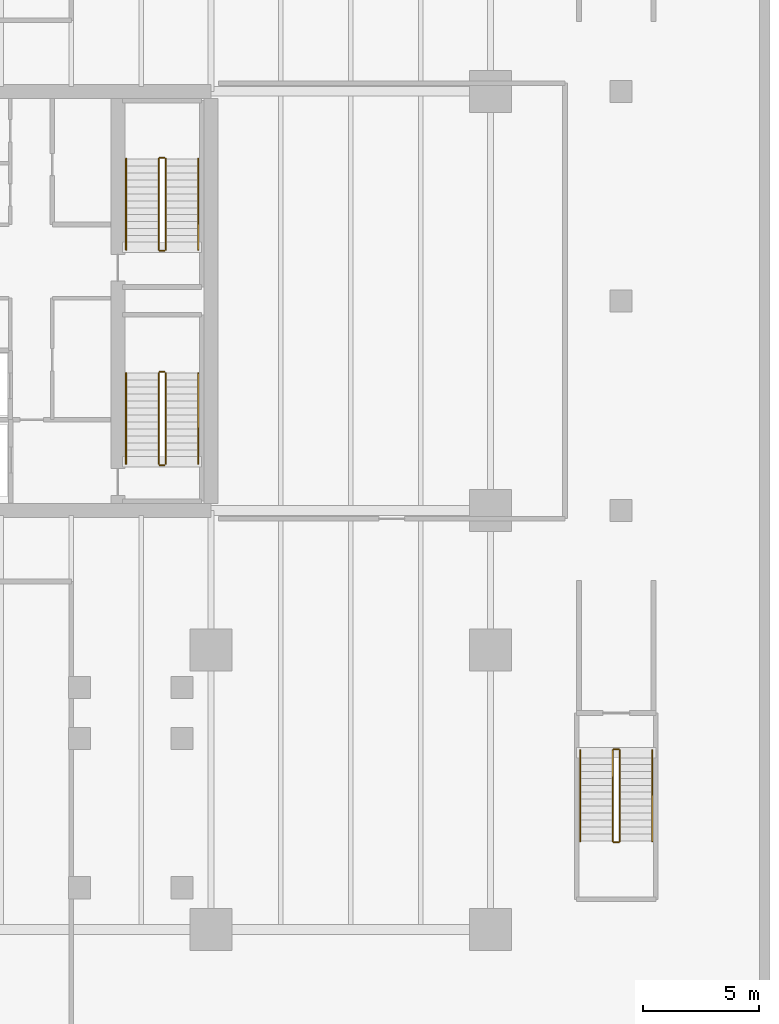
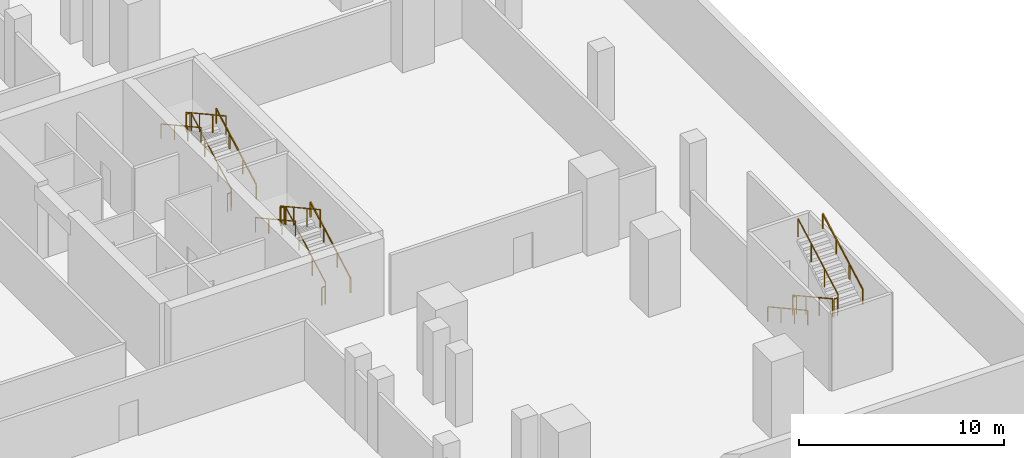
# One storey, part 12 of 13: 18 railings.
"""IFC4 building model written with IfcOpenShell, lengths in metres."""

import ifcopenshell
import ifcopenshell.guid

model = None  # the IFC model being written
_history = None  # IfcOwnerHistory: only IFC2X3 demands one
_inside = {}  # id of a spatial element -> (the spatial element, [elements in it])
_under = {}  # id of a project, library or spatial element -> (it, [spatial elements below it])
_declared = {}  # id of a project -> (the project, [libraries it declares])
_typed = {}  # id of a type object -> (the type object, [elements of that type])
_made_of = {}  # id of a material, layer set ... -> (it, [elements and type objects made of it])


def new_model(schema):
    """Start an empty IFC model of exactly this schema.

    Asked for "IFC4X3", IfcOpenShell would pick the latest addendum, in which some entities
    have other attributes; the version numbers below select the first issue.
    IFC2X3 requires an IfcOwnerHistory on every rooted entity: one is made here for all.
    """
    global model, _history
    if schema == "IFC4X3":
        model = ifcopenshell.file(schema_version=(4, 3, 0, 0))
    else:
        model = ifcopenshell.file(schema=schema)
    _inside.clear()
    _under.clear()
    _declared.clear()
    _typed.clear()
    _made_of.clear()
    _history = None
    if model.schema == "IFC2X3":
        org = make("IfcOrganization", Name="unknown")
        user = make(
            "IfcPersonAndOrganization",
            ThePerson=make("IfcPerson", FamilyName="unknown"),
            TheOrganization=org,
        )
        app = make(
            "IfcApplication",
            ApplicationDeveloper=org,
            Version="unknown",
            ApplicationFullName="unknown",
            ApplicationIdentifier="unknown",
        )
        _history = make(
            "IfcOwnerHistory",
            OwningUser=user,
            OwningApplication=app,
            ChangeAction="ADDED",
            CreationDate=0,
        )
    return model


def make(cls, **values):
    """One entity of the class cls with the attributes given. An attribute that is None is left unset."""
    return model.create_entity(
        cls, **{name: value for name, value in values.items() if value is not None}
    )


def rooted(cls, **values):
    """An entity with a GlobalId (a new one), such as an element, a storey or a relation."""
    return make(cls, GlobalId=ifcopenshell.guid.new(), OwnerHistory=_history, **values)


def si_unit(unit_type, name, prefix=None):
    """IfcSIUnit, for example si_unit("LENGTHUNIT", "METRE", prefix="MILLI")."""
    return make("IfcSIUnit", UnitType=unit_type, Prefix=prefix, Name=name)


def assignment(units):
    """IfcUnitAssignment: the units of a project."""
    return None if units is None else make("IfcUnitAssignment", Units=units)


def point(xyz):
    """IfcCartesianPoint."""
    return None if xyz is None else make("IfcCartesianPoint", Coordinates=xyz)


def direction(xyz):
    """IfcDirection."""
    return None if xyz is None else make("IfcDirection", DirectionRatios=xyz)


def frame(location, z_axis=None, x_axis=None):
    """IfcAxis2Placement3D, a coordinate frame: its origin and axes. An axis left out is left unset."""
    return make(
        "IfcAxis2Placement3D",
        Location=point(location),
        Axis=direction(z_axis),
        RefDirection=direction(x_axis),
    )


def origin():
    """The frame at (0, 0, 0) with its axes left unset."""
    return frame((0.0, 0.0, 0.0))


def place(relative_to, where):
    """IfcLocalPlacement: puts the frame where relative to a parent placement (None: the world)."""
    return make(
        "IfcLocalPlacement", PlacementRelTo=relative_to, RelativePlacement=where
    )


def context(
    kind, dimensions, precision=None, world=None, true_north=None, identifier=None
):
    """IfcGeometricRepresentationContext, for example the 3D "Model" context."""
    return make(
        "IfcGeometricRepresentationContext",
        ContextIdentifier=identifier,
        ContextType=kind,
        CoordinateSpaceDimension=dimensions,
        Precision=precision,
        WorldCoordinateSystem=world,
        TrueNorth=true_north,
    )


def subcontext(parent, identifier, kind, view, scale=None):
    """IfcGeometricRepresentationSubContext, for example "Body" below "Model"."""
    return make(
        "IfcGeometricRepresentationSubContext",
        ContextIdentifier=identifier,
        ContextType=kind,
        ParentContext=parent,
        TargetScale=scale,
        TargetView=view,
    )


def project(units=None, contexts=None):
    """IfcProject with its units and contexts."""
    return rooted(
        "IfcProject",
        Name="project",
        RepresentationContexts=contexts,
        UnitsInContext=assignment(units),
    )


def spatial(cls, under=None, at=None, **own):
    """A site, building, storey or space (cls), placed at a placement, below another one or the project."""
    s = rooted(cls, ObjectPlacement=at, **own)
    if under is not None:
        _under.setdefault(under.id(), (under, []))[1].append(s)
    return s


def profile(cls, at=None, kind="AREA", **sizes):
    """A parametric profile (cls). Its sizes go by their IFC names, for example OverallWidth=200.0."""
    return make(cls, ProfileType=kind, Position=at, **sizes)


def rectangle(**sizes):
    """IfcRectangleProfileDef."""
    return profile("IfcRectangleProfileDef", **sizes)


def extrude(swept, where, along, depth):
    """IfcExtrudedAreaSolid: the profile swept, set in the frame where, extruded along a direction by depth."""
    return make(
        "IfcExtrudedAreaSolid",
        SweptArea=swept,
        Position=where,
        ExtrudedDirection=direction(along),
        Depth=depth,
    )


def shape(context_of_items, identifier, shape_type, items):
    """IfcShapeRepresentation: the items that make up one representation, for example the "Body"."""
    return make(
        "IfcShapeRepresentation",
        ContextOfItems=context_of_items,
        RepresentationIdentifier=identifier,
        RepresentationType=shape_type,
        Items=items,
    )


def material(Name=None, Category=None):
    """IfcMaterial."""
    return make("IfcMaterial", Name=Name, Category=Category)


def made_of(thing, what):
    """Note that an element or type object is made of a material, layer set ...; save() writes the relation."""
    if what is not None:
        _made_of.setdefault(what.id(), (what, []))[1].append(thing)
    return thing


def type_object(cls, material=None, **own):
    """A type object (cls), such as IfcWallType, which elements share."""
    return made_of(rooted(cls, **own), material)


def element(
    cls,
    number,
    at=None,
    inside=None,
    cuts=None,
    type_object=None,
    material=None,
    context=None,
    identifier="Body",
    shape_type=None,
    held_by="IfcProductDefinitionShape",
    body=None,
    shapes=None,
    **own,
):
    """One element of the class cls, such as IfcWall. Its Tag is "e" and its number.

    at: its placement. inside: the storey or other place that contains it. cuts: it is an
    opening in that element (IfcRelVoidsElement). A single representation is given by context,
    identifier, shape_type and body (its items); several are given by shapes. held_by: the class
    of the entity that holds the representations. save() writes the other relations.
    """
    e = rooted(cls, Tag="e%d" % number, ObjectPlacement=at, **own)
    if body is not None:
        shapes = [shape(context, identifier, shape_type, body)]
    if shapes is not None:
        e.Representation = make(held_by, Representations=shapes)
    if inside is not None:
        _inside.setdefault(inside.id(), (inside, []))[1].append(e)
    if cuts is not None:
        rooted(
            "IfcRelVoidsElement", RelatingBuildingElement=cuts, RelatedOpeningElement=e
        )
    if type_object is not None:
        _typed.setdefault(type_object.id(), (type_object, []))[1].append(e)
    return made_of(e, material)


def aggregate(whole, parts):
    """IfcRelAggregates: a whole, such as a stair, and the parts it consists of."""
    return rooted("IfcRelAggregates", RelatingObject=whole, RelatedObjects=parts)


def save(model, path):
    """Write the relations noted so far, then the file.

    IfcRelAggregates (storeys below a building ...), IfcRelContainedInSpatialStructure (elements
    in a storey), IfcRelDefinesByType, IfcRelAssociatesMaterial and IfcRelDeclares: one each for
    every whole, place, type object, material and project.
    """
    for whole, parts in _under.values():
        aggregate(whole, parts)
    for where, things in _inside.values():
        rooted(
            "IfcRelContainedInSpatialStructure",
            RelatedElements=things,
            RelatingStructure=where,
        )
    for kind, things in _typed.values():
        rooted("IfcRelDefinesByType", RelatedObjects=things, RelatingType=kind)
    for what, things in _made_of.values():
        rooted("IfcRelAssociatesMaterial", RelatedObjects=things, RelatingMaterial=what)
    for by, libraries in _declared.values():
        rooted("IfcRelDeclares", RelatingContext=by, RelatedDefinitions=libraries)
    model.write(path)


model = new_model("IFC4")

# Units and contexts
model_context = context("Model", 3, precision=1e-05, world=origin(), true_north=direction((0.0, 1.0)))
body_context = subcontext(model_context, "Body", "Model", "MODEL_VIEW")
ifc_project = project(units=[si_unit("LENGTHUNIT", "METRE"), si_unit("AREAUNIT", "SQUARE_METRE"), si_unit("VOLUMEUNIT", "CUBIC_METRE"), si_unit("PLANEANGLEUNIT", "RADIAN"), si_unit("MASSUNIT", "GRAM", prefix="KILO")], contexts=[model_context])

# Site, building, storey
site_placement = place(None, origin())
site = spatial("IfcSite", under=ifc_project, at=site_placement, CompositionType="ELEMENT")
building_placement = place(site_placement, origin())
building = spatial("IfcBuilding", under=site, at=building_placement, Name="Tanjung Sevakor Pilgrim Tower", CompositionType="ELEMENT")
storey_placement = place(building_placement, frame((0.0, 0.0, -4.6201171875)))
storey = spatial("IfcBuildingStorey", under=building, at=storey_placement, Name="B01", CompositionType="ELEMENT", Elevation=-4.6201171875)

# Railings
ifc_material_1 = material(Name="Steel S355J2", Category="steel")
railing_type_1 = type_object("IfcRailingType", Name="RL-STAIR-GUARD", PredefinedType="GUARDRAIL", material=ifc_material_1)
railing_1_placement = place(storey_placement, frame((88.050048828125, 26.60009765625, 0.1650390625)))
element("IfcRailing", 1, at=railing_1_placement, inside=storey, type_object=railing_type_1, Name="B01 TS-E1 stair guard 1", PredefinedType="GUARDRAIL", context=body_context, shape_type="SweptSolid", body=[
    extrude(rectangle(XDim=0.0479, YDim=0.0479), frame((0.0, 0.0, 1.076171875), z_axis=(0.0, 0.876208959939, 0.481931383625), x_axis=(-1.0, 0.0, 0.0)), (0.0, 0.0, 1.0), 4.450927734375),
    extrude(rectangle(XDim=0.042, YDim=0.042), origin(), (0.0, 0.0, 1.0), 1.052001953125),
    extrude(rectangle(XDim=0.042, YDim=0.042), frame((0.0, 1.300048828125, 0.715087890625)), (0.0, 0.0, 1.0), 1.052001953125),
    extrude(rectangle(XDim=0.042, YDim=0.042), frame((0.0, 2.599853515625, 1.429931640625)), (0.0, 0.0, 1.0), 1.052001953125),
    extrude(rectangle(XDim=0.042, YDim=0.042), frame((0.0, 3.89990234375, 2.14501953125)), (0.0, 0.0, 1.0), 1.052001953125),
])
railing_2_placement = place(storey_placement, frame((88.0, 30.550048828125, 2.31005859375)))
element("IfcRailing", 2, at=railing_2_placement, inside=storey, type_object=railing_type_1, Name="B01 TS-E1 stair guard 2", PredefinedType="GUARDRAIL", context=body_context, shape_type="SweptSolid", body=[
    extrude(rectangle(XDim=0.0479, YDim=0.0479), frame((0.0, 0.0, 1.076171875), z_axis=(-1.0, 0.0, 0.0), x_axis=(0.0, -1.0, 0.0)), (0.0, 0.0, 1.0), 0.199951171875),
    extrude(rectangle(XDim=0.042, YDim=0.042), origin(), (0.0, 0.0, 1.0), 1.052001953125),
    extrude(rectangle(XDim=0.042, YDim=0.042), frame((-0.199951171875, 0.0, 0.0)), (0.0, 0.0, 1.0), 1.052001953125),
])
railing_3_placement = place(storey_placement, frame((87.75, 30.5, 2.47509765625)))
element("IfcRailing", 3, at=railing_3_placement, inside=storey, type_object=railing_type_1, Name="B01 TS-E1 stair guard 3", PredefinedType="GUARDRAIL", context=body_context, shape_type="SweptSolid", body=[
    extrude(rectangle(XDim=0.0479, YDim=0.0479), frame((0.0, 0.0, 1.076171875), z_axis=(0.0, -0.876208959939, 0.481931383625), x_axis=(1.0, 0.0, 0.0)), (0.0, 0.0, 1.0), 4.450927734375),
    extrude(rectangle(XDim=0.042, YDim=0.042), origin(), (0.0, 0.0, 1.0), 1.052001953125),
    extrude(rectangle(XDim=0.042, YDim=0.042), frame((0.0, -1.300048828125, 0.715087890625)), (0.0, 0.0, 1.0), 1.052001953125),
    extrude(rectangle(XDim=0.042, YDim=0.042), frame((0.0, -2.599853515625, 1.429931640625)), (0.0, 0.0, 1.0), 1.052001953125),
    extrude(rectangle(XDim=0.042, YDim=0.042), frame((0.0, -3.89990234375, 2.14501953125)), (0.0, 0.0, 1.0), 1.052001953125),
])
railing_4_placement = place(storey_placement, frame((88.0, 26.550048828125, 0.0)))
element("IfcRailing", 4, at=railing_4_placement, inside=storey, type_object=railing_type_1, Name="B01 TS-E1 stair guard 4", PredefinedType="GUARDRAIL", context=body_context, shape_type="SweptSolid", body=[
    extrude(rectangle(XDim=0.0479, YDim=0.0479), frame((0.0, 0.0, 1.076171875), z_axis=(-1.0, 0.0, 0.0), x_axis=(0.0, -1.0, 0.0)), (0.0, 0.0, 1.0), 0.199951171875),
    extrude(rectangle(XDim=0.042, YDim=0.042), origin(), (0.0, 0.0, 1.0), 1.052001953125),
    extrude(rectangle(XDim=0.042, YDim=0.042), frame((-0.199951171875, 0.0, 0.0)), (0.0, 0.0, 1.0), 1.052001953125),
])
railing_5_placement = place(storey_placement, frame((88.050048828125, 35.800048828125, 0.1650390625)))
element("IfcRailing", 5, at=railing_5_placement, inside=storey, type_object=railing_type_1, Name="B01 TS-E2 stair guard 1", PredefinedType="GUARDRAIL", context=body_context, shape_type="SweptSolid", body=[
    extrude(rectangle(XDim=0.0479, YDim=0.0479), frame((0.0, 0.0, 1.076171875), z_axis=(0.0, 0.876208959939, 0.481931383625), x_axis=(-1.0, 0.0, 0.0)), (0.0, 0.0, 1.0), 4.450927734375),
    extrude(rectangle(XDim=0.042, YDim=0.042), origin(), (0.0, 0.0, 1.0), 1.052001953125),
    extrude(rectangle(XDim=0.042, YDim=0.042), frame((0.0, 1.300048828125, 0.715087890625)), (0.0, 0.0, 1.0), 1.052001953125),
    extrude(rectangle(XDim=0.042, YDim=0.042), frame((0.0, 2.599853515625, 1.429931640625)), (0.0, 0.0, 1.0), 1.052001953125),
    extrude(rectangle(XDim=0.042, YDim=0.042), frame((0.0, 3.89990234375, 2.14501953125)), (0.0, 0.0, 1.0), 1.052001953125),
])
railing_6_placement = place(storey_placement, frame((88.0, 39.75, 2.31005859375)))
element("IfcRailing", 6, at=railing_6_placement, inside=storey, type_object=railing_type_1, Name="B01 TS-E2 stair guard 2", PredefinedType="GUARDRAIL", context=body_context, shape_type="SweptSolid", body=[
    extrude(rectangle(XDim=0.0479, YDim=0.0479), frame((0.0, 0.0, 1.076171875), z_axis=(-1.0, 0.0, 0.0), x_axis=(0.0, -1.0, 0.0)), (0.0, 0.0, 1.0), 0.199951171875),
    extrude(rectangle(XDim=0.042, YDim=0.042), origin(), (0.0, 0.0, 1.0), 1.052001953125),
    extrude(rectangle(XDim=0.042, YDim=0.042), frame((-0.199951171875, 0.0, 0.0)), (0.0, 0.0, 1.0), 1.052001953125),
])
railing_7_placement = place(storey_placement, frame((87.75, 39.699951171875, 2.47509765625)))
element("IfcRailing", 7, at=railing_7_placement, inside=storey, type_object=railing_type_1, Name="B01 TS-E2 stair guard 3", PredefinedType="GUARDRAIL", context=body_context, shape_type="SweptSolid", body=[
    extrude(rectangle(XDim=0.0479, YDim=0.0479), frame((0.0, 0.0, 1.076171875), z_axis=(0.0, -0.876208959939, 0.481931383625), x_axis=(1.0, 0.0, 0.0)), (0.0, 0.0, 1.0), 4.450927734375),
    extrude(rectangle(XDim=0.042, YDim=0.042), origin(), (0.0, 0.0, 1.0), 1.052001953125),
    extrude(rectangle(XDim=0.042, YDim=0.042), frame((0.0, -1.300048828125, 0.715087890625)), (0.0, 0.0, 1.0), 1.052001953125),
    extrude(rectangle(XDim=0.042, YDim=0.042), frame((0.0, -2.599853515625, 1.429931640625)), (0.0, 0.0, 1.0), 1.052001953125),
    extrude(rectangle(XDim=0.042, YDim=0.042), frame((0.0, -3.89990234375, 2.14501953125)), (0.0, 0.0, 1.0), 1.052001953125),
])
railing_8_placement = place(storey_placement, frame((88.0, 35.75, 0.0)))
element("IfcRailing", 8, at=railing_8_placement, inside=storey, type_object=railing_type_1, Name="B01 TS-E2 stair guard 4", PredefinedType="GUARDRAIL", context=body_context, shape_type="SweptSolid", body=[
    extrude(rectangle(XDim=0.0479, YDim=0.0479), frame((0.0, 0.0, 1.076171875), z_axis=(-1.0, 0.0, 0.0), x_axis=(0.0, -1.0, 0.0)), (0.0, 0.0, 1.0), 0.199951171875),
    extrude(rectangle(XDim=0.042, YDim=0.042), origin(), (0.0, 0.0, 1.0), 1.052001953125),
    extrude(rectangle(XDim=0.042, YDim=0.042), frame((-0.199951171875, 0.0, 0.0)), (0.0, 0.0, 1.0), 1.052001953125),
])
railing_9_placement = place(storey_placement, frame((107.25, 14.300048828125, 0.1650390625)))
element("IfcRailing", 9, at=railing_9_placement, inside=storey, type_object=railing_type_1, Name="B01 BS-3 stair guard 1", PredefinedType="GUARDRAIL", context=body_context, shape_type="SweptSolid", body=[
    extrude(rectangle(XDim=0.0479, YDim=0.0479), frame((0.0, 0.0, 1.076171875), z_axis=(0.0, -0.876221698874, 0.481908221991), x_axis=(1.0, 0.0, 0.0)), (0.0, 0.0, 1.0), 4.451171875),
    extrude(rectangle(XDim=0.042, YDim=0.042), origin(), (0.0, 0.0, 1.0), 1.052001953125),
    extrude(rectangle(XDim=0.042, YDim=0.042), frame((0.0, -1.300048828125, 0.715087890625)), (0.0, 0.0, 1.0), 1.052001953125),
    extrude(rectangle(XDim=0.042, YDim=0.042), frame((0.0, -2.60009765625, 1.429931640625)), (0.0, 0.0, 1.0), 1.052001953125),
    extrude(rectangle(XDim=0.042, YDim=0.042), frame((0.0, -3.900146484375, 2.14501953125)), (0.0, 0.0, 1.0), 1.052001953125),
])
railing_10_placement = place(storey_placement, frame((107.300048828125, 10.35009765625, 2.31005859375)))
element("IfcRailing", 10, at=railing_10_placement, inside=storey, type_object=railing_type_1, Name="B01 BS-3 stair guard 2", PredefinedType="GUARDRAIL", context=body_context, shape_type="SweptSolid", body=[
    extrude(rectangle(XDim=0.0479, YDim=0.0479), frame((0.0, 0.0, 1.076171875), z_axis=(1.0, 0.0, 0.0), x_axis=(0.0, 1.0, 0.0)), (0.0, 0.0, 1.0), 0.199951171875),
    extrude(rectangle(XDim=0.042, YDim=0.042), origin(), (0.0, 0.0, 1.0), 1.052001953125),
    extrude(rectangle(XDim=0.042, YDim=0.042), frame((0.199951171875, 0.0, 0.0)), (0.0, 0.0, 1.0), 1.052001953125),
])
railing_11_placement = place(storey_placement, frame((107.550048828125, 10.39990234375, 2.47509765625)))
element("IfcRailing", 11, at=railing_11_placement, inside=storey, type_object=railing_type_1, Name="B01 BS-3 stair guard 3", PredefinedType="GUARDRAIL", context=body_context, shape_type="SweptSolid", body=[
    extrude(rectangle(XDim=0.0479, YDim=0.0479), frame((0.0, 0.0, 1.076171875), z_axis=(0.0, 0.876221698874, 0.481908221991), x_axis=(-1.0, 0.0, 0.0)), (0.0, 0.0, 1.0), 4.451171875),
    extrude(rectangle(XDim=0.042, YDim=0.042), origin(), (0.0, 0.0, 1.0), 1.052001953125),
    extrude(rectangle(XDim=0.042, YDim=0.042), frame((0.0, 1.300048828125, 0.715087890625)), (0.0, 0.0, 1.0), 1.052001953125),
    extrude(rectangle(XDim=0.042, YDim=0.042), frame((0.0, 2.60009765625, 1.429931640625)), (0.0, 0.0, 1.0), 1.052001953125),
    extrude(rectangle(XDim=0.042, YDim=0.042), frame((0.0, 3.900146484375, 2.14501953125)), (0.0, 0.0, 1.0), 1.052001953125),
])
railing_12_placement = place(storey_placement, frame((107.300048828125, 14.35009765625, 0.0)))
element("IfcRailing", 12, at=railing_12_placement, inside=storey, type_object=railing_type_1, Name="B01 BS-3 stair guard 4", PredefinedType="GUARDRAIL", context=body_context, shape_type="SweptSolid", body=[
    extrude(rectangle(XDim=0.0479, YDim=0.0479), frame((0.0, 0.0, 1.076171875), z_axis=(1.0, 0.0, 0.0), x_axis=(0.0, 1.0, 0.0)), (0.0, 0.0, 1.0), 0.199951171875),
    extrude(rectangle(XDim=0.042, YDim=0.042), origin(), (0.0, 0.0, 1.0), 1.052001953125),
    extrude(rectangle(XDim=0.042, YDim=0.042), frame((0.199951171875, 0.0, 0.0)), (0.0, 0.0, 1.0), 1.052001953125),
])
ifc_material_2 = material(Name="Steel S355J2", Category="steel")
railing_type_2 = type_object("IfcRailingType", Name="RL-STAIR-HAND", PredefinedType="HANDRAIL", material=ifc_material_2)
railing_13_placement = place(storey_placement, frame((89.449951171875, 26.60009765625, 0.1650390625)))
element("IfcRailing", 13, at=railing_13_placement, inside=storey, type_object=railing_type_2, Name="B01 TS-E1 stair handrail 1", PredefinedType="HANDRAIL", context=body_context, shape_type="SweptSolid", body=[
    extrude(rectangle(XDim=0.0479, YDim=0.0479), frame((0.0, 0.0, 0.8759765625), z_axis=(0.0, 0.876208959939, 0.481931383625), x_axis=(-1.0, 0.0, 0.0)), (0.0, 0.0, 1.0), 4.450927734375),
    extrude(rectangle(XDim=0.042, YDim=0.042), origin(), (0.0, 0.0, 1.0), 0.851806640625),
    extrude(rectangle(XDim=0.042, YDim=0.042), frame((0.0, 1.300048828125, 0.715087890625)), (0.0, 0.0, 1.0), 0.851806640625),
    extrude(rectangle(XDim=0.042, YDim=0.042), frame((0.0, 2.599853515625, 1.429931640625)), (0.0, 0.0, 1.0), 0.851806640625),
    extrude(rectangle(XDim=0.042, YDim=0.042), frame((0.0, 3.89990234375, 2.14501953125)), (0.0, 0.0, 1.0), 0.851806640625),
])
railing_14_placement = place(storey_placement, frame((86.35009765625, 30.5, 2.47509765625)))
element("IfcRailing", 14, at=railing_14_placement, inside=storey, type_object=railing_type_2, Name="B01 TS-E1 stair handrail 2", PredefinedType="HANDRAIL", context=body_context, shape_type="SweptSolid", body=[
    extrude(rectangle(XDim=0.0479, YDim=0.0479), frame((0.0, 0.0, 0.8759765625), z_axis=(0.0, -0.876208959939, 0.481931383625), x_axis=(1.0, 0.0, 0.0)), (0.0, 0.0, 1.0), 4.450927734375),
    extrude(rectangle(XDim=0.042, YDim=0.042), origin(), (0.0, 0.0, 1.0), 0.851806640625),
    extrude(rectangle(XDim=0.042, YDim=0.042), frame((0.0, -1.300048828125, 0.715087890625)), (0.0, 0.0, 1.0), 0.851806640625),
    extrude(rectangle(XDim=0.042, YDim=0.042), frame((0.0, -2.599853515625, 1.429931640625)), (0.0, 0.0, 1.0), 0.851806640625),
    extrude(rectangle(XDim=0.042, YDim=0.042), frame((0.0, -3.89990234375, 2.14501953125)), (0.0, 0.0, 1.0), 0.851806640625),
])
railing_15_placement = place(storey_placement, frame((89.449951171875, 35.800048828125, 0.1650390625)))
element("IfcRailing", 15, at=railing_15_placement, inside=storey, type_object=railing_type_2, Name="B01 TS-E2 stair handrail 1", PredefinedType="HANDRAIL", context=body_context, shape_type="SweptSolid", body=[
    extrude(rectangle(XDim=0.0479, YDim=0.0479), frame((0.0, 0.0, 0.8759765625), z_axis=(0.0, 0.876208959939, 0.481931383625), x_axis=(-1.0, 0.0, 0.0)), (0.0, 0.0, 1.0), 4.450927734375),
    extrude(rectangle(XDim=0.042, YDim=0.042), origin(), (0.0, 0.0, 1.0), 0.851806640625),
    extrude(rectangle(XDim=0.042, YDim=0.042), frame((0.0, 1.300048828125, 0.715087890625)), (0.0, 0.0, 1.0), 0.851806640625),
    extrude(rectangle(XDim=0.042, YDim=0.042), frame((0.0, 2.599853515625, 1.429931640625)), (0.0, 0.0, 1.0), 0.851806640625),
    extrude(rectangle(XDim=0.042, YDim=0.042), frame((0.0, 3.89990234375, 2.14501953125)), (0.0, 0.0, 1.0), 0.851806640625),
])
railing_16_placement = place(storey_placement, frame((86.35009765625, 39.699951171875, 2.47509765625)))
element("IfcRailing", 16, at=railing_16_placement, inside=storey, type_object=railing_type_2, Name="B01 TS-E2 stair handrail 2", PredefinedType="HANDRAIL", context=body_context, shape_type="SweptSolid", body=[
    extrude(rectangle(XDim=0.0479, YDim=0.0479), frame((0.0, 0.0, 0.8759765625), z_axis=(0.0, -0.876208959939, 0.481931383625), x_axis=(1.0, 0.0, 0.0)), (0.0, 0.0, 1.0), 4.450927734375),
    extrude(rectangle(XDim=0.042, YDim=0.042), origin(), (0.0, 0.0, 1.0), 0.851806640625),
    extrude(rectangle(XDim=0.042, YDim=0.042), frame((0.0, -1.300048828125, 0.715087890625)), (0.0, 0.0, 1.0), 0.851806640625),
    extrude(rectangle(XDim=0.042, YDim=0.042), frame((0.0, -2.599853515625, 1.429931640625)), (0.0, 0.0, 1.0), 0.851806640625),
    extrude(rectangle(XDim=0.042, YDim=0.042), frame((0.0, -3.89990234375, 2.14501953125)), (0.0, 0.0, 1.0), 0.851806640625),
])
railing_17_placement = place(storey_placement, frame((105.85009765625, 14.300048828125, 0.1650390625)))
element("IfcRailing", 17, at=railing_17_placement, inside=storey, type_object=railing_type_2, Name="B01 BS-3 stair handrail 1", PredefinedType="HANDRAIL", context=body_context, shape_type="SweptSolid", body=[
    extrude(rectangle(XDim=0.0479, YDim=0.0479), frame((0.0, 0.0, 0.8759765625), z_axis=(0.0, -0.876221698874, 0.481908221991), x_axis=(1.0, 0.0, 0.0)), (0.0, 0.0, 1.0), 4.451171875),
    extrude(rectangle(XDim=0.042, YDim=0.042), origin(), (0.0, 0.0, 1.0), 0.851806640625),
    extrude(rectangle(XDim=0.042, YDim=0.042), frame((0.0, -1.300048828125, 0.715087890625)), (0.0, 0.0, 1.0), 0.851806640625),
    extrude(rectangle(XDim=0.042, YDim=0.042), frame((0.0, -2.60009765625, 1.429931640625)), (0.0, 0.0, 1.0), 0.851806640625),
    extrude(rectangle(XDim=0.042, YDim=0.042), frame((0.0, -3.900146484375, 2.14501953125)), (0.0, 0.0, 1.0), 0.851806640625),
])
railing_18_placement = place(storey_placement, frame((108.949951171875, 10.39990234375, 2.47509765625)))
element("IfcRailing", 18, at=railing_18_placement, inside=storey, type_object=railing_type_2, Name="B01 BS-3 stair handrail 2", PredefinedType="HANDRAIL", context=body_context, shape_type="SweptSolid", body=[
    extrude(rectangle(XDim=0.0479, YDim=0.0479), frame((0.0, 0.0, 0.8759765625), z_axis=(0.0, 0.876221698874, 0.481908221991), x_axis=(-1.0, 0.0, 0.0)), (0.0, 0.0, 1.0), 4.451171875),
    extrude(rectangle(XDim=0.042, YDim=0.042), origin(), (0.0, 0.0, 1.0), 0.851806640625),
    extrude(rectangle(XDim=0.042, YDim=0.042), frame((0.0, 1.300048828125, 0.715087890625)), (0.0, 0.0, 1.0), 0.851806640625),
    extrude(rectangle(XDim=0.042, YDim=0.042), frame((0.0, 2.60009765625, 1.429931640625)), (0.0, 0.0, 1.0), 0.851806640625),
    extrude(rectangle(XDim=0.042, YDim=0.042), frame((0.0, 3.900146484375, 2.14501953125)), (0.0, 0.0, 1.0), 0.851806640625),
])

save(model, "model.ifc")
